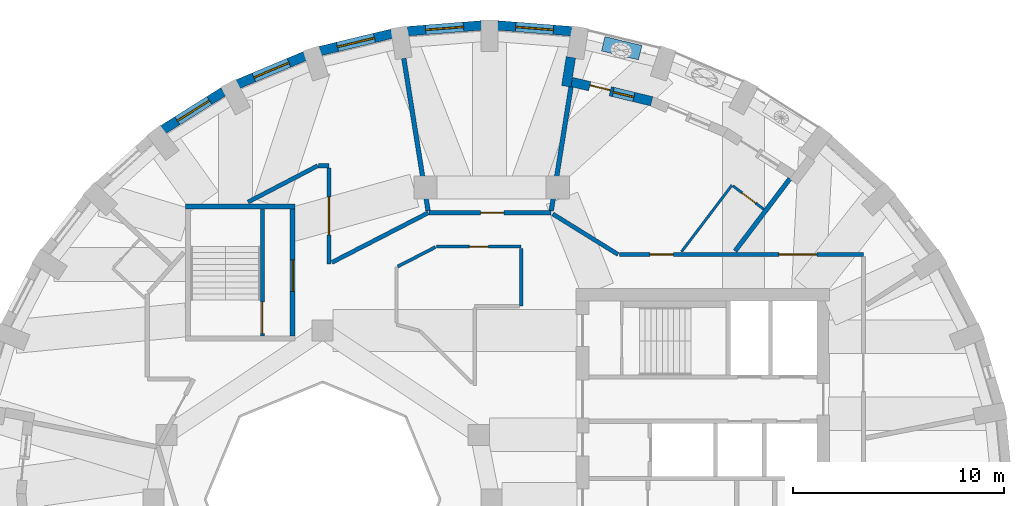
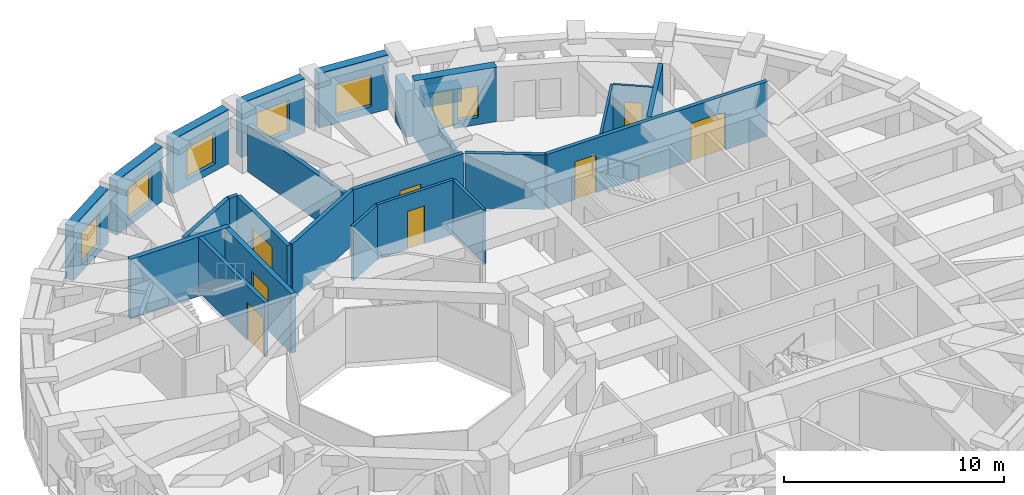
# One storey, part 7 of 12: 26 walls, 9 doors, 6 windows, 15 openings.
"""IFC4 building model written with IfcOpenShell, lengths in metres."""

from ifc_helpers import new_model, si_unit, direction, frame, frame_2d, origin, place, context, subcontext, project, spatial, rectangle, extrude, material, layer, layer_set, constituent, constituent_set, type_object, element, fill, save


model = new_model("IFC4")

# Units and contexts
model_context = context("Model", 3, precision=1e-05, world=origin(), true_north=direction((0.0, 1.0)))
body_context = subcontext(model_context, "Body", "Model", "MODEL_VIEW")
ifc_project = project(units=[si_unit("LENGTHUNIT", "METRE"), si_unit("AREAUNIT", "SQUARE_METRE"), si_unit("VOLUMEUNIT", "CUBIC_METRE"), si_unit("PLANEANGLEUNIT", "RADIAN"), si_unit("MASSUNIT", "GRAM", prefix="KILO")], contexts=[model_context])

# Site, building, storey
site_placement = place(None, origin())
site = spatial("IfcSite", under=ifc_project, at=site_placement, CompositionType="ELEMENT")
building_placement = place(site_placement, origin())
building = spatial("IfcBuilding", under=site, at=building_placement, Name="Taillehof Tower", CompositionType="ELEMENT")
storey_placement = place(building_placement, frame((0.0, 0.0, 233.300048828125)))
storey = spatial("IfcBuildingStorey", under=building, at=storey_placement, Name="L66", CompositionType="ELEMENT", Elevation=233.300048828125)

# Wall, opening, window
ifc_material_1 = material(Name="Brick masonry", Category="masonry")
ifc_layer_1 = layer(ifc_material_1, 0.449951171875)
ifc_layer_set_1 = layer_set([ifc_layer_1], Name="Brick infill wall 450")
wall_type_1 = type_object("IfcWallType", Name="Brick infill wall 450", PredefinedType="SOLIDWALL", material=ifc_layer_set_1)
wall_1_placement = place(storey_placement, frame((3.778564453125, 22.168701171875, 0.0), z_axis=(0.0, 0.0, 1.0), x_axis=(-0.996910775835, 0.078542377245, 0.0)))
wall_1 = element("IfcWall", 1, at=wall_1_placement, inside=storey, type_object=wall_type_1, Name="Brick wall L66 bay 9", PredefinedType="SOLIDWALL", context=body_context, shape_type="SweptSolid", body=[
    extrude(rectangle(XDim=3.50927734375, YDim=0.449951171875, at=frame_2d((1.754638671875, 0.0))), origin(), (0.0, 0.0, 1.0), 3.02001953125),
])
opening_1_placement = place(wall_1_placement, frame((0.854736328125, 0.0, 0.39990234375)))
opening_1 = element("IfcOpeningElement", 2, at=opening_1_placement, cuts=wall_1, Name="Opening W4", PredefinedType="OPENING", context=body_context, shape_type="SweptSolid", body=[
    extrude(rectangle(XDim=1.800048828125, YDim=1.75, at=frame_2d((0.89990234375, 0.875))), frame((0.0, 0.23486328125, 0.0), z_axis=(0.0, -1.0, 0.0), x_axis=(1.0, 0.0, 0.0)), (0.0, 0.0, 1.0), 0.469970703125),
])
ifc_material_2 = material(Name="Aluminium window frame with clear double glazing", Category="aluminium")
window_type_1 = type_object("IfcWindowType", Name="Deep-set window 1800x1750", PartitioningType="SINGLE_PANEL", PredefinedType="WINDOW", material=ifc_material_2)
window_1_placement = place(opening_1_placement, origin())
window_1 = element("IfcWindow", 3, at=window_1_placement, inside=storey, type_object=window_type_1, Name="W4", OverallHeight=1.75, OverallWidth=1.800048828125, PartitioningType="SINGLE_PANEL", PredefinedType="WINDOW", context=body_context, shape_type="SweptSolid", body=[
    extrude(rectangle(XDim=1.800048828125, YDim=1.75, at=frame_2d((0.89990234375, 0.875))), frame((0.0, 0.034912109375, 0.0), z_axis=(0.0, -1.0, 0.0), x_axis=(1.0, 0.0, 0.0)), (0.0, 0.0, 1.0), 0.06005859375),
])
fill(opening_1, window_1)

wall_2_placement = place(storey_placement, frame((-0.47998046875, 22.4443359375, 0.0), z_axis=(0.0, 0.0, 1.0), x_axis=(-0.996910775835, -0.078542377245, 0.0)))
wall_2 = element("IfcWall", 4, at=wall_2_placement, inside=storey, type_object=wall_type_1, Name="Brick wall L66 bay 10", PredefinedType="SOLIDWALL", context=body_context, shape_type="SweptSolid", body=[
    extrude(rectangle(XDim=3.50927734375, YDim=0.449951171875, at=frame_2d((1.754638671875, 0.0))), origin(), (0.0, 0.0, 1.0), 3.02001953125),
])
opening_2_placement = place(wall_2_placement, frame((0.854736328125, 0.0, 0.39990234375)))
opening_2 = element("IfcOpeningElement", 5, at=opening_2_placement, cuts=wall_2, Name="Opening W4", PredefinedType="OPENING", context=body_context, shape_type="SweptSolid", body=[
    extrude(rectangle(XDim=1.800048828125, YDim=1.75, at=frame_2d((0.89990234375, 0.875))), frame((0.0, 0.23486328125, 0.0), z_axis=(0.0, -1.0, 0.0), x_axis=(1.0, 0.0, 0.0)), (0.0, 0.0, 1.0), 0.469970703125),
])
window_2_placement = place(opening_2_placement, origin())
window_2 = element("IfcWindow", 6, at=window_2_placement, inside=storey, type_object=window_type_1, Name="W4", OverallHeight=1.75, OverallWidth=1.800048828125, PartitioningType="SINGLE_PANEL", PredefinedType="WINDOW", context=body_context, shape_type="SweptSolid", body=[
    extrude(rectangle(XDim=1.800048828125, YDim=1.75, at=frame_2d((0.89990234375, 0.875))), frame((0.0, 0.034912109375, 0.0), z_axis=(0.0, -1.0, 0.0), x_axis=(1.0, 0.0, 0.0)), (0.0, 0.0, 1.0), 0.06005859375),
])
fill(opening_2, window_2)

wall_3_placement = place(storey_placement, frame((-4.729248046875, 22.049560546875, 0.0), z_axis=(0.0, 0.0, 1.0), x_axis=(-0.972099278496, -0.23456980357, 0.0)))
wall_3 = element("IfcWall", 7, at=wall_3_placement, inside=storey, type_object=wall_type_1, Name="Brick wall L66 bay 11", PredefinedType="SOLIDWALL", context=body_context, shape_type="SweptSolid", body=[
    extrude(rectangle(XDim=3.486572265625, YDim=0.449951171875, at=frame_2d((1.7431640625, 0.0))), origin(), (0.0, 0.0, 1.0), 3.02001953125),
])
opening_3_placement = place(wall_3_placement, frame((0.84326171875, 0.0, 0.39990234375)))
opening_3 = element("IfcOpeningElement", 8, at=opening_3_placement, cuts=wall_3, Name="Opening W4", PredefinedType="OPENING", context=body_context, shape_type="SweptSolid", body=[
    extrude(rectangle(XDim=1.800048828125, YDim=1.75, at=frame_2d((0.89990234375, 0.875))), frame((0.0, 0.23486328125, 0.0), z_axis=(0.0, -1.0, 0.0), x_axis=(1.0, 0.0, 0.0)), (0.0, 0.0, 1.0), 0.469970703125),
])
window_3_placement = place(opening_3_placement, origin())
window_3 = element("IfcWindow", 9, at=window_3_placement, inside=storey, type_object=window_type_1, Name="W4", OverallHeight=1.75, OverallWidth=1.800048828125, PartitioningType="SINGLE_PANEL", PredefinedType="WINDOW", context=body_context, shape_type="SweptSolid", body=[
    extrude(rectangle(XDim=1.800048828125, YDim=1.75, at=frame_2d((0.89990234375, 0.875))), frame((0.0, 0.034912109375, 0.0), z_axis=(0.0, -1.0, 0.0), x_axis=(1.0, 0.0, 0.0)), (0.0, 0.0, 1.0), 0.06005859375),
])
fill(opening_3, window_3)

wall_4_placement = place(storey_placement, frame((-8.8408203125, 20.994873046875, 0.0), z_axis=(0.0, 0.0, 1.0), x_axis=(-0.922024627475, -0.387131226239, 0.0)))
wall_4 = element("IfcWall", 10, at=wall_4_placement, inside=storey, type_object=wall_type_1, Name="Brick wall L66 bay 12", PredefinedType="SOLIDWALL", context=body_context, shape_type="SweptSolid", body=[
    extrude(rectangle(XDim=3.443359375, YDim=0.449951171875, at=frame_2d((1.7216796875, 0.0))), origin(), (0.0, 0.0, 1.0), 3.02001953125),
])
opening_4_placement = place(wall_4_placement, frame((0.82177734375, 0.0, 0.39990234375)))
opening_4 = element("IfcOpeningElement", 11, at=opening_4_placement, cuts=wall_4, Name="Opening W4", PredefinedType="OPENING", context=body_context, shape_type="SweptSolid", body=[
    extrude(rectangle(XDim=1.800048828125, YDim=1.75, at=frame_2d((0.89990234375, 0.875))), frame((0.0, 0.23486328125, 0.0), z_axis=(0.0, -1.0, 0.0), x_axis=(1.0, 0.0, 0.0)), (0.0, 0.0, 1.0), 0.469970703125),
])
window_4_placement = place(opening_4_placement, origin())
window_4 = element("IfcWindow", 12, at=window_4_placement, inside=storey, type_object=window_type_1, Name="W4", OverallHeight=1.75, OverallWidth=1.800048828125, PartitioningType="SINGLE_PANEL", PredefinedType="WINDOW", context=body_context, shape_type="SweptSolid", body=[
    extrude(rectangle(XDim=1.800048828125, YDim=1.75, at=frame_2d((0.89990234375, 0.875))), frame((0.0, 0.034912109375, 0.0), z_axis=(0.0, -1.0, 0.0), x_axis=(1.0, 0.0, 0.0)), (0.0, 0.0, 1.0), 0.06005859375),
])
fill(opening_4, window_4)

wall_5_placement = place(storey_placement, frame((-12.68994140625, 19.31103515625, 0.0), z_axis=(0.0, 0.0, 1.0), x_axis=(-0.845929139811, -0.53329531258, 0.0)))
wall_5 = element("IfcWall", 13, at=wall_5_placement, inside=storey, type_object=wall_type_1, Name="Brick wall L66 bay 13", PredefinedType="SOLIDWALL", context=body_context, shape_type="SweptSolid", body=[
    extrude(rectangle(XDim=3.384521484375, YDim=0.449951171875, at=frame_2d((1.6923828125, 0.0))), origin(), (0.0, 0.0, 1.0), 3.02001953125),
])
opening_5_placement = place(wall_5_placement, frame((0.792236328125, 0.0, 0.39990234375)))
opening_5 = element("IfcOpeningElement", 14, at=opening_5_placement, cuts=wall_5, Name="Opening W4", PredefinedType="OPENING", context=body_context, shape_type="SweptSolid", body=[
    extrude(rectangle(XDim=1.800048828125, YDim=1.75, at=frame_2d((0.89990234375, 0.875))), frame((0.0, 0.23486328125, 0.0), z_axis=(0.0, -1.0, 0.0), x_axis=(1.0, 0.0, 0.0)), (0.0, 0.0, 1.0), 0.469970703125),
])
window_5_placement = place(opening_5_placement, origin())
window_5 = element("IfcWindow", 15, at=window_5_placement, inside=storey, type_object=window_type_1, Name="W4", OverallHeight=1.75, OverallWidth=1.800048828125, PartitioningType="SINGLE_PANEL", PredefinedType="WINDOW", context=body_context, shape_type="SweptSolid", body=[
    extrude(rectangle(XDim=1.800048828125, YDim=1.75, at=frame_2d((0.89990234375, 0.875))), frame((0.0, 0.034912109375, 0.0), z_axis=(0.0, -1.0, 0.0), x_axis=(1.0, 0.0, 0.0)), (0.0, 0.0, 1.0), 0.06005859375),
])
fill(opening_5, window_5)

# Wall
wall_6_placement = place(storey_placement, frame((3.75146484375, 20.93359375, 0.0), z_axis=(0.0, 0.0, 1.0), x_axis=(-0.157189016474, -0.9875685359, 0.0)))
element("IfcWall", 16, at=wall_6_placement, inside=storey, type_object=wall_type_1, Name="Brick reveal L66 pocket 1", PredefinedType="SOLIDWALL", context=body_context, shape_type="SweptSolid", body=[
    extrude(rectangle(XDim=1.39013671875, YDim=0.449951171875, at=frame_2d((0.695068359375, 0.0))), origin(), (0.0, 0.0, 1.0), 2.570068359375),
])

# Wall, openings, door, window
wall_7_placement = place(storey_placement, frame((7.57958984375, 18.8505859375, 0.0), z_axis=(0.0, 0.0, 1.0), x_axis=(-0.97195784986, 0.235155136231, 0.0)))
wall_7 = element("IfcWall", 17, at=wall_7_placement, inside=storey, type_object=wall_type_1, Name="Brick wall L66 pocket bay 8", PredefinedType="SOLIDWALL", context=body_context, shape_type="SweptSolid", body=[
    extrude(rectangle(XDim=3.895263671875, YDim=0.449951171875, at=frame_2d((1.94775390625, 0.0))), origin(), (0.0, 0.0, 1.0), 3.02001953125),
])
opening_6_placement = place(wall_7_placement, frame((0.872802734375, 0.0, 0.39990234375)))
opening_6 = element("IfcOpeningElement", 18, at=opening_6_placement, cuts=wall_7, Name="Opening W5", PredefinedType="OPENING", context=body_context, shape_type="SweptSolid", body=[
    extrude(rectangle(XDim=1.0, YDim=1.75, at=frame_2d((0.5, 0.875))), frame((0.0, 0.23486328125, 0.0), z_axis=(0.0, -1.0, 0.0), x_axis=(1.0, 0.0, 0.0)), (0.0, 0.0, 1.0), 0.469970703125),
])
opening_7_placement = place(wall_7_placement, frame((2.022705078125, 0.0, 0.0)))
opening_7 = element("IfcOpeningElement", 19, at=opening_7_placement, cuts=wall_7, Name="Opening D6696", PredefinedType="OPENING", context=body_context, shape_type="SweptSolid", body=[
    extrude(rectangle(XDim=1.0, YDim=2.14990234375, at=frame_2d((0.5, 1.074951171875))), frame((0.0, 0.23486328125, 0.0), z_axis=(0.0, -1.0, 0.0), x_axis=(1.0, 0.0, 0.0)), (0.0, 0.0, 1.0), 0.469970703125),
])
ifc_material_3 = material(Name="Aluminium door frame with clear double glazing", Category="aluminium")
door_type_1 = type_object("IfcDoorType", Name="Balcony door 1000x2150", OperationType="SINGLE_SWING_RIGHT", PredefinedType="DOOR", material=ifc_material_3)
door_1_placement = place(opening_7_placement, frame((1.0, 0.0, 0.0), z_axis=(0.0, 0.0, 1.0), x_axis=(-1.0, 0.0, 0.0)))
door_1 = element("IfcDoor", 20, at=door_1_placement, inside=storey, type_object=door_type_1, Name="Balcony door L66 bay 8", OperationType="SINGLE_SWING_LEFT", OverallHeight=2.14990234375, OverallWidth=1.0, PredefinedType="DOOR", context=body_context, shape_type="SweptSolid", body=[
    extrude(rectangle(XDim=1.0, YDim=2.14990234375, at=frame_2d((0.5, 1.074951171875))), frame((0.0, 0.0751953125, 0.0), z_axis=(0.0, -1.0, 0.0), x_axis=(1.0, 0.0, 0.0)), (0.0, 0.0, 1.0), 0.050048828125),
])
fill(opening_7, door_1)
ifc_material_4 = material(Name="Aluminium window frame with clear double glazing", Category="aluminium")
window_type_2 = type_object("IfcWindowType", Name="Fixed window 1000x1750", PartitioningType="SINGLE_PANEL", PredefinedType="WINDOW", material=ifc_material_4)
window_6_placement = place(opening_6_placement, origin())
window_6 = element("IfcWindow", 21, at=window_6_placement, inside=storey, type_object=window_type_2, Name="W5", OverallHeight=1.75, OverallWidth=1.0, PartitioningType="SINGLE_PANEL", PredefinedType="WINDOW", context=body_context, shape_type="SweptSolid", body=[
    extrude(rectangle(XDim=1.0, YDim=1.75, at=frame_2d((0.5, 0.875))), frame((0.0, 0.034912109375, 0.0), z_axis=(0.0, -1.0, 0.0), x_axis=(1.0, 0.0, 0.0)), (0.0, 0.0, 1.0), 0.06005859375),
])
fill(opening_6, window_6)

# Walls
ifc_material_5 = material(Name="Gypsum board on steel studs, two layers each side", Category="steel")
ifc_layer_2 = layer(ifc_material_5, 0.199951171875)
ifc_layer_set_2 = layer_set([ifc_layer_2], Name="Compartment wall corridor 200")
wall_type_2 = type_object("IfcWallType", Name="Compartment wall corridor 200", PredefinedType="PARTITIONING", material=ifc_layer_set_2)
wall_8_placement = place(storey_placement, frame((-11.53369140625, 14.080810546875, 0.0), z_axis=(0.0, 0.0, 1.0), x_axis=(0.886975089277, 0.461817270143, 0.0)))
element("IfcWall", 22, at=wall_8_placement, inside=storey, type_object=wall_type_2, Name="Compartment wall", PredefinedType="PARTITIONING", context=body_context, shape_type="SweptSolid", body=[
    extrude(rectangle(XDim=3.72265625, YDim=0.199951171875, at=frame_2d((1.861328125, 0.0))), origin(), (0.0, 0.0, 1.0), 3.02001953125),
])
wall_9_placement = place(storey_placement, frame((-8.191650390625, 15.800048828125, 0.0), z_axis=(0.0, 0.0, 1.0), x_axis=(1.0, 0.0, 0.0)))
element("IfcWall", 23, at=wall_9_placement, inside=storey, type_object=wall_type_2, Name="Compartment wall", PredefinedType="PARTITIONING", context=body_context, shape_type="SweptSolid", body=[
    extrude(rectangle(XDim=0.49169921875, YDim=0.199951171875, at=frame_2d((0.245849609375, 0.0))), origin(), (0.0, 0.0, 1.0), 3.02001953125),
])

# Wall, opening, door
wall_10_placement = place(storey_placement, frame((-7.699951171875, 15.699951171875, 0.0), z_axis=(0.0, 0.0, 1.0), x_axis=(0.0, -1.0, 0.0)))
wall_10 = element("IfcWall", 24, at=wall_10_placement, inside=storey, type_object=wall_type_2, Name="Compartment wall", PredefinedType="PARTITIONING", context=body_context, shape_type="SweptSolid", body=[
    extrude(rectangle(XDim=4.546875, YDim=0.199951171875, at=frame_2d((2.2734375, 0.0))), origin(), (0.0, 0.0, 1.0), 3.02001953125),
])
opening_8_placement = place(wall_10_placement, frame((1.37353515625, 0.0, 0.0)))
opening_8 = element("IfcOpeningElement", 25, at=opening_8_placement, cuts=wall_10, Name="Opening D6643", PredefinedType="OPENING", context=body_context, shape_type="SweptSolid", body=[
    extrude(rectangle(XDim=1.800048828125, YDim=2.10009765625, at=frame_2d((0.89990234375, 1.050048828125))), frame((0.0, 0.10986328125, 0.0), z_axis=(0.0, -1.0, 0.0), x_axis=(1.0, 0.0, 0.0)), (0.0, 0.0, 1.0), 0.219970703125),
])
ifc_material_6 = material(Name="Timber door leaf in steel frame", Category="steel")
door_type_2 = type_object("IfcDoorType", Name="Lounge and meeting room double door EI 30 1800 x 2100", OperationType="SINGLE_SWING_LEFT", PredefinedType="DOOR", material=ifc_material_6)
door_2_placement = place(opening_8_placement, origin())
door_2 = element("IfcDoor", 26, at=door_2_placement, inside=storey, type_object=door_type_2, Name="D6643", OperationType="DOUBLE_DOOR_SINGLE_SWING", OverallHeight=2.10009765625, OverallWidth=1.800048828125, PredefinedType="DOOR", context=body_context, shape_type="SweptSolid", body=[
    extrude(rectangle(XDim=1.800048828125, YDim=2.10009765625, at=frame_2d((0.89990234375, 1.050048828125))), frame((0.0, 0.02490234375, 0.0), z_axis=(0.0, -1.0, 0.0), x_axis=(1.0, 0.0, 0.0)), (0.0, 0.0, 1.0), 0.050048828125),
])
fill(opening_8, door_2)

# Wall
wall_11_placement = place(storey_placement, frame((-7.557373046875, 11.227294921875, 0.0), z_axis=(0.0, 0.0, 1.0), x_axis=(0.889060449642, 0.457789817364, 0.0)))
element("IfcWall", 27, at=wall_11_placement, inside=storey, type_object=wall_type_2, Name="Compartment wall", PredefinedType="PARTITIONING", context=body_context, shape_type="SweptSolid", body=[
    extrude(rectangle(XDim=5.11865234375, YDim=0.199951171875, at=frame_2d((2.559326171875, 0.0))), origin(), (0.0, 0.0, 1.0), 3.02001953125),
])

# Wall, opening, door
wall_12_placement = place(storey_placement, frame((-2.966552734375, 13.570556640625, 0.0), z_axis=(0.0, 0.0, 1.0), x_axis=(1.0, 0.0, 0.0)))
wall_12 = element("IfcWall", 28, at=wall_12_placement, inside=storey, type_object=wall_type_2, Name="Compartment wall", PredefinedType="PARTITIONING", context=body_context, shape_type="SweptSolid", body=[
    extrude(rectangle(XDim=5.773193359375, YDim=0.199951171875, at=frame_2d((2.88671875, 0.0))), origin(), (0.0, 0.0, 1.0), 3.02001953125),
])
opening_9_placement = place(wall_12_placement, frame((2.441162109375, 0.0, 0.0)))
opening_9 = element("IfcOpeningElement", 29, at=opening_9_placement, cuts=wall_12, Name="Opening D6642", PredefinedType="OPENING", context=body_context, shape_type="SweptSolid", body=[
    extrude(rectangle(XDim=1.10009765625, YDim=2.10009765625, at=frame_2d((0.550048828125, 1.050048828125))), frame((0.0, 0.10986328125, 0.0), z_axis=(0.0, -1.0, 0.0), x_axis=(1.0, 0.0, 0.0)), (0.0, 0.0, 1.0), 0.219970703125),
])
ifc_material_7 = material(Name="Timber door leaf in steel frame", Category="steel")
door_type_3 = type_object("IfcDoorType", Name="Suite entrance door EI 30 1100 x 2100", OperationType="SINGLE_SWING_LEFT", PredefinedType="DOOR", material=ifc_material_7)
door_3_placement = place(opening_9_placement, origin())
door_3 = element("IfcDoor", 30, at=door_3_placement, inside=storey, type_object=door_type_3, Name="D6642", OperationType="SINGLE_SWING_RIGHT", OverallHeight=2.10009765625, OverallWidth=1.10009765625, PredefinedType="DOOR", context=body_context, shape_type="SweptSolid", body=[
    extrude(rectangle(XDim=1.10009765625, YDim=2.10009765625, at=frame_2d((0.550048828125, 1.050048828125))), frame((0.0, 0.02490234375, 0.0), z_axis=(0.0, -1.0, 0.0), x_axis=(1.0, 0.0, 0.0)), (0.0, 0.0, 1.0), 0.050048828125),
])
fill(opening_9, door_3)

# Wall
wall_13_placement = place(storey_placement, frame((2.89208984375, 13.51806640625, 0.0), z_axis=(0.0, 0.0, 1.0), x_axis=(0.849866037624, -0.526998783769, 0.0)))
element("IfcWall", 31, at=wall_13_placement, inside=storey, type_object=wall_type_2, Name="Compartment wall", PredefinedType="PARTITIONING", context=body_context, shape_type="SweptSolid", body=[
    extrude(rectangle(XDim=3.639404296875, YDim=0.199951171875, at=frame_2d((1.81982421875, 0.0))), origin(), (0.0, 0.0, 1.0), 3.02001953125),
])

# Wall, openings, doors
wall_14_placement = place(storey_placement, frame((6.045166015625, 11.60009765625, 0.0), z_axis=(0.0, 0.0, 1.0), x_axis=(1.0, 0.0, 0.0)))
wall_14 = element("IfcWall", 32, at=wall_14_placement, inside=storey, type_object=wall_type_2, Name="Compartment wall", PredefinedType="PARTITIONING", context=body_context, shape_type="SweptSolid", body=[
    extrude(rectangle(XDim=11.554931640625, YDim=0.199951171875, at=frame_2d((5.77734375, 0.0))), origin(), (0.0, 0.0, 1.0), 3.02001953125),
])
opening_10_placement = place(wall_14_placement, frame((1.4609375, 0.0, 0.0)))
opening_10 = element("IfcOpeningElement", 33, at=opening_10_placement, cuts=wall_14, Name="Opening D6640", PredefinedType="OPENING", context=body_context, shape_type="SweptSolid", body=[
    extrude(rectangle(XDim=1.10009765625, YDim=2.10009765625, at=frame_2d((0.550048828125, 1.050048828125))), frame((0.0, 0.10986328125, 0.0), z_axis=(0.0, -1.0, 0.0), x_axis=(1.0, 0.0, 0.0)), (0.0, 0.0, 1.0), 0.219970703125),
])
opening_11_placement = place(wall_14_placement, frame((7.548828125, 0.0, 0.0)))
opening_11 = element("IfcOpeningElement", 34, at=opening_11_placement, cuts=wall_14, Name="Opening D6657", PredefinedType="OPENING", context=body_context, shape_type="SweptSolid", body=[
    extrude(rectangle(XDim=1.800048828125, YDim=2.10009765625, at=frame_2d((0.89990234375, 1.050048828125))), frame((0.0, 0.10986328125, 0.0), z_axis=(0.0, -1.0, 0.0), x_axis=(1.0, 0.0, 0.0)), (0.0, 0.0, 1.0), 0.219970703125),
])
door_4_placement = place(opening_11_placement, origin())
door_4 = element("IfcDoor", 35, at=door_4_placement, inside=storey, type_object=door_type_2, Name="D6657", OperationType="DOUBLE_DOOR_SINGLE_SWING", OverallHeight=2.10009765625, OverallWidth=1.800048828125, PredefinedType="DOOR", context=body_context, shape_type="SweptSolid", body=[
    extrude(rectangle(XDim=1.800048828125, YDim=2.10009765625, at=frame_2d((0.89990234375, 1.050048828125))), frame((0.0, 0.02490234375, 0.0), z_axis=(0.0, -1.0, 0.0), x_axis=(1.0, 0.0, 0.0)), (0.0, 0.0, 1.0), 0.050048828125),
])
fill(opening_11, door_4)
door_5_placement = place(opening_10_placement, origin())
door_5 = element("IfcDoor", 36, at=door_5_placement, inside=storey, type_object=door_type_3, Name="D6640", OperationType="SINGLE_SWING_RIGHT", OverallHeight=2.10009765625, OverallWidth=1.10009765625, PredefinedType="DOOR", context=body_context, shape_type="SweptSolid", body=[
    extrude(rectangle(XDim=1.10009765625, YDim=2.10009765625, at=frame_2d((0.550048828125, 1.050048828125))), frame((0.0, 0.02490234375, 0.0), z_axis=(0.0, -1.0, 0.0), x_axis=(1.0, 0.0, 0.0)), (0.0, 0.0, 1.0), 0.050048828125),
])
fill(opening_10, door_5)

# Walls
ifc_material_8 = material(Name="Gypsum board on double steel studs with mineral wool", Category="steel")
ifc_layer_3 = layer(ifc_material_8, 0.219970703125)
ifc_layer_set_3 = layer_set([ifc_layer_3], Name="Compartment wall guest room 220")
wall_type_3 = type_object("IfcWallType", Name="Compartment wall guest room 220", PredefinedType="PARTITIONING", material=ifc_layer_set_3)
wall_15_placement = place(storey_placement, frame((14.11865234375, 15.186767578125, 0.0), z_axis=(0.0, 0.0, 1.0), x_axis=(-0.604075434344, -0.796927141978, 0.0)))
element("IfcWall", 37, at=wall_15_placement, inside=storey, type_object=wall_type_3, Name="Compartment wall", PredefinedType="PARTITIONING", context=body_context, shape_type="SweptSolid", body=[
    extrude(rectangle(XDim=4.29541015625, YDim=0.219970703125, at=frame_2d((2.147705078125, 0.0))), origin(), (0.0, 0.0, 1.0), 3.02001953125),
])
wall_16_placement = place(storey_placement, frame((3.758056640625, 19.543701171875, 0.0), z_axis=(0.0, 0.0, 1.0), x_axis=(-0.157279717869, -0.987554094897, 0.0)))
element("IfcWall", 38, at=wall_16_placement, inside=storey, type_object=wall_type_3, Name="Compartment wall", PredefinedType="PARTITIONING", context=body_context, shape_type="SweptSolid", body=[
    extrude(rectangle(XDim=5.9482421875, YDim=0.219970703125, at=frame_2d((2.97412109375, 0.0))), origin(), (0.0, 0.0, 1.0), 2.570068359375),
])
wall_17_placement = place(storey_placement, frame((-4.158203125, 20.88037109375, 0.0), z_axis=(0.0, 0.0, 1.0), x_axis=(0.157260291638, -0.987557188559, 0.0)))
element("IfcWall", 39, at=wall_17_placement, inside=storey, type_object=wall_type_3, Name="Compartment wall", PredefinedType="PARTITIONING", context=body_context, shape_type="SweptSolid", body=[
    extrude(rectangle(XDim=7.302734375, YDim=0.219970703125, at=frame_2d((3.6513671875, 0.0))), origin(), (0.0, 0.0, 1.0), 2.570068359375),
])

# Wall, opening, door
ifc_material_9 = material(Name="Gypsum board on steel studs, two layers each side", Category="steel")
ifc_layer_4 = layer(ifc_material_9, 0.14990234375)
ifc_layer_set_4 = layer_set([ifc_layer_4], Name="Compartment wall service room 150")
wall_type_4 = type_object("IfcWallType", Name="Compartment wall service room 150", PredefinedType="PARTITIONING", material=ifc_layer_set_4)
wall_18_placement = place(storey_placement, frame((-2.618896484375, 11.970458984375, 0.0), z_axis=(0.0, 0.0, 1.0), x_axis=(1.0, 0.0, 0.0)))
wall_18 = element("IfcWall", 40, at=wall_18_placement, inside=storey, type_object=wall_type_4, Name="Compartment wall", PredefinedType="PARTITIONING", context=body_context, shape_type="SweptSolid", body=[
    extrude(rectangle(XDim=4.018798828125, YDim=0.14990234375, at=frame_2d((2.00927734375, 0.0))), origin(), (0.0, 0.0, 1.0), 3.02001953125),
])
opening_12_placement = place(wall_18_placement, frame((1.559326171875, 0.0, 0.0)))
opening_12 = element("IfcOpeningElement", 41, at=opening_12_placement, cuts=wall_18, Name="Opening D6658", PredefinedType="OPENING", context=body_context, shape_type="SweptSolid", body=[
    extrude(rectangle(XDim=0.89990234375, YDim=2.10009765625, at=frame_2d((0.449951171875, 1.050048828125))), frame((0.0, 0.0849609375, 0.0), z_axis=(0.0, -1.0, 0.0), x_axis=(1.0, 0.0, 0.0)), (0.0, 0.0, 1.0), 0.169921875),
])
ifc_material_10 = material(Name="Timber door leaf in steel frame", Category="steel")
door_type_4 = type_object("IfcDoorType", Name="Service room door EI 30 900 x 2100", OperationType="SINGLE_SWING_LEFT", PredefinedType="DOOR", material=ifc_material_10)
door_6_placement = place(opening_12_placement, origin())
door_6 = element("IfcDoor", 42, at=door_6_placement, inside=storey, type_object=door_type_4, Name="D6658", OperationType="SINGLE_SWING_RIGHT", OverallHeight=2.10009765625, OverallWidth=0.89990234375, PredefinedType="DOOR", context=body_context, shape_type="SweptSolid", body=[
    extrude(rectangle(XDim=0.89990234375, YDim=2.10009765625, at=frame_2d((0.449951171875, 1.050048828125))), frame((0.0, 0.02490234375, 0.0), z_axis=(0.0, -1.0, 0.0), x_axis=(1.0, 0.0, 0.0)), (0.0, 0.0, 1.0), 0.050048828125),
])
fill(opening_12, door_6)

# Walls
wall_19_placement = place(storey_placement, frame((1.39990234375, 11.890380859375, 0.0), z_axis=(0.0, 0.0, 1.0), x_axis=(0.0, -1.0, 0.0)))
element("IfcWall", 43, at=wall_19_placement, inside=storey, type_object=wall_type_4, Name="Compartment wall", PredefinedType="PARTITIONING", context=body_context, shape_type="SweptSolid", body=[
    extrude(rectangle(XDim=2.740478515625, YDim=0.14990234375, at=frame_2d((1.3701171875, 0.0))), origin(), (0.0, 0.0, 1.0), 3.02001953125),
])
wall_20_placement = place(storey_placement, frame((-4.446533203125, 11.029296875, 0.0), z_axis=(0.0, 0.0, 1.0), x_axis=(0.88908361723, 0.457744821459, 0.0)))
element("IfcWall", 44, at=wall_20_placement, inside=storey, type_object=wall_type_4, Name="Compartment wall", PredefinedType="PARTITIONING", context=body_context, shape_type="SweptSolid", body=[
    extrude(rectangle(XDim=2.015625, YDim=0.14990234375, at=frame_2d((1.0078125, 0.0))), origin(), (0.0, 0.0, 1.0), 3.02001953125),
])
ifc_material_11 = material(Name="Gypsum board on steel studs, moisture resistant", Category="steel")
ifc_layer_5 = layer(ifc_material_11, 0.1201171875)
ifc_layer_set_5 = layer_set([ifc_layer_5], Name="En-suite wall 120")
wall_type_5 = type_object("IfcWallType", Name="En-suite wall 120", PredefinedType="PARTITIONING", material=ifc_layer_set_5)
wall_21_placement = place(storey_placement, frame((8.990478515625, 11.73193359375, 0.0), z_axis=(0.0, 0.0, 1.0), x_axis=(0.604075378366, 0.79692718441, 0.0)))
element("IfcWall", 45, at=wall_21_placement, inside=storey, type_object=wall_type_5, Name="En-suite wall", PredefinedType="PARTITIONING", context=body_context, shape_type="SweptSolid", body=[
    extrude(rectangle(XDim=3.950927734375, YDim=0.1201171875, at=frame_2d((1.9755859375, 0.0))), origin(), (0.0, 0.0, 1.0), 3.02001953125),
])

# Wall, opening, door
wall_22_placement = place(storey_placement, frame((11.425048828125, 14.844482421875, 0.0), z_axis=(0.0, 0.0, 1.0), x_axis=(0.796899454755, -0.604111959004, 0.0)))
wall_22 = element("IfcWall", 46, at=wall_22_placement, inside=storey, type_object=wall_type_5, Name="En-suite wall", PredefinedType="PARTITIONING", context=body_context, shape_type="SweptSolid", body=[
    extrude(rectangle(XDim=1.829833984375, YDim=0.1201171875, at=frame_2d((0.9150390625, 0.0))), origin(), (0.0, 0.0, 1.0), 3.02001953125),
])
opening_13_placement = place(wall_22_placement, frame((0.5400390625, 0.0, 0.0)))
opening_13 = element("IfcOpeningElement", 47, at=opening_13_placement, cuts=wall_22, Name="Opening D6641", PredefinedType="OPENING", context=body_context, shape_type="SweptSolid", body=[
    extrude(rectangle(XDim=0.800048828125, YDim=2.10009765625, at=frame_2d((0.39990234375, 1.050048828125))), frame((0.0, 0.070068359375, 0.0), z_axis=(0.0, -1.0, 0.0), x_axis=(1.0, 0.0, 0.0)), (0.0, 0.0, 1.0), 0.14013671875),
])
ifc_material_12 = material(Name="Timber door leaf in steel frame", Category="steel")
door_type_5 = type_object("IfcDoorType", Name="En-suite door 800 x 2100", OperationType="SINGLE_SWING_LEFT", PredefinedType="DOOR", material=ifc_material_12)
door_7_placement = place(opening_13_placement, origin())
door_7 = element("IfcDoor", 48, at=door_7_placement, inside=storey, type_object=door_type_5, Name="D6641", OperationType="SINGLE_SWING_RIGHT", OverallHeight=2.10009765625, OverallWidth=0.800048828125, PredefinedType="DOOR", context=body_context, shape_type="SweptSolid", body=[
    extrude(rectangle(XDim=0.800048828125, YDim=2.10009765625, at=frame_2d((0.39990234375, 1.050048828125))), frame((0.0, 0.02490234375, 0.0), z_axis=(0.0, -1.0, 0.0), x_axis=(1.0, 0.0, 0.0)), (0.0, 0.0, 1.0), 0.050048828125),
])
fill(opening_13, door_7)

# Wall
ifc_material_13 = material(Name="Concrete C30/37 precast", Category="concrete")
ifc_constituent_1 = constituent(ifc_material_13, Name="Structure", Category="concrete")
ifc_material_14 = material(Name="Insulated lining")
ifc_constituent_2 = constituent(ifc_material_14, Name="Lining")
ifc_constituent_set = constituent_set(constituents=[ifc_constituent_1, ifc_constituent_2], Name="Planter trough 700x750")
wall_type_6 = type_object("IfcWallType", Name="Planter trough 700x750", PredefinedType="USERDEFINED", material=ifc_constituent_set)
wall_23_placement = place(storey_placement, frame((7.0322265625, 21.152587890625, 0.0), z_axis=(0.0, 0.0, 1.0), x_axis=(-0.972112071369, 0.234516781275, 0.0)))
element("IfcWall", 49, at=wall_23_placement, inside=storey, type_object=wall_type_6, Name="Planter L66 bay 8", ObjectType="PLANTER", PredefinedType="USERDEFINED", context=body_context, shape_type="SweptSolid", body=[
    extrude(rectangle(XDim=1.800048828125, YDim=0.699951171875, at=frame_2d((0.89990234375, 0.0))), origin(), (0.0, 0.0, 1.0), 0.75),
])

# Wall, opening, door
ifc_material_15 = material(Name="Concrete C50/60", Category="concrete")
ifc_layer_6 = layer(ifc_material_15, 0.199951171875)
ifc_layer_set_6 = layer_set([ifc_layer_6], Name="Shaft wall C50/60 200")
wall_type_7 = type_object("IfcWallType", Name="Shaft wall C50/60 200", PredefinedType="SHEAR", material=ifc_layer_set_6)
wall_24_placement = place(storey_placement, frame((-10.85009765625, 7.75, 0.0), z_axis=(0.0, 0.0, 1.0), x_axis=(0.0, 1.0, 0.0)))
wall_24 = element("IfcWall", 50, at=wall_24_placement, inside=storey, type_object=wall_type_7, Name="Shaft wall SW", PredefinedType="SHEAR", context=body_context, shape_type="SweptSolid", body=[
    extrude(rectangle(XDim=6.0, YDim=0.199951171875, at=frame_2d((3.0, 0.0))), origin(), (0.0, 0.0, 1.0), 3.02001953125),
])
opening_14_placement = place(wall_24_placement, frame((0.10009765625, 0.0, 0.0)))
opening_14 = element("IfcOpeningElement", 51, at=opening_14_placement, cuts=wall_24, Name="Opening D6612", PredefinedType="OPENING", context=body_context, shape_type="SweptSolid", body=[
    extrude(rectangle(XDim=1.5, YDim=2.10009765625, at=frame_2d((0.75, 1.050048828125))), frame((0.0, 0.10986328125, 0.0), z_axis=(0.0, -1.0, 0.0), x_axis=(1.0, 0.0, 0.0)), (0.0, 0.0, 1.0), 0.219970703125),
])
ifc_material_16 = material(Name="Steel-faced fire door", Category="steel")
door_type_6 = type_object("IfcDoorType", Name="Stair door 1500x2100", OperationType="DOUBLE_DOOR_SINGLE_SWING", PredefinedType="DOOR", material=ifc_material_16)
door_8_placement = place(opening_14_placement, origin())
door_8 = element("IfcDoor", 52, at=door_8_placement, inside=storey, type_object=door_type_6, Name="Stair lobby door S3", OperationType="DOUBLE_DOOR_SINGLE_SWING", OverallHeight=2.10009765625, OverallWidth=1.5, PredefinedType="DOOR", context=body_context, shape_type="SweptSolid", body=[
    extrude(rectangle(XDim=1.5, YDim=2.10009765625, at=frame_2d((0.75, 1.050048828125))), frame((0.0, 0.02490234375, 0.0), z_axis=(0.0, -1.0, 0.0), x_axis=(1.0, 0.0, 0.0)), (0.0, 0.0, 1.0), 0.050048828125),
])
fill(opening_14, door_8)

ifc_material_17 = material(Name="Concrete C50/60", Category="concrete")
ifc_layer_7 = layer(ifc_material_17, 0.25)
ifc_layer_set_7 = layer_set([ifc_layer_7], Name="Stair wall C50/60 250")
wall_type_8 = type_object("IfcWallType", Name="Stair wall C50/60 250", PredefinedType="SHEAR", material=ifc_layer_set_7)
wall_25_placement = place(storey_placement, frame((-9.425048828125, 7.75, -0.280029296875), z_axis=(0.0, 0.0, 1.0), x_axis=(0.0, 1.0, 0.0)))
wall_25 = element("IfcWall", 53, at=wall_25_placement, inside=storey, type_object=wall_type_8, Name="Stair wall SC", PredefinedType="SHEAR", context=body_context, shape_type="SweptSolid", body=[
    extrude(rectangle(XDim=6.0, YDim=0.25, at=frame_2d((3.0, 0.0))), origin(), (0.0, 0.0, 1.0), 3.300048828125),
])
opening_15_placement = place(wall_25_placement, frame((2.10009765625, 0.0, 0.280029296875)))
opening_15 = element("IfcOpeningElement", 54, at=opening_15_placement, cuts=wall_25, Name="Opening D6615", PredefinedType="OPENING", context=body_context, shape_type="SweptSolid", body=[
    extrude(rectangle(XDim=1.5, YDim=2.10009765625, at=frame_2d((0.75, 1.050048828125))), frame((0.0, 0.135009765625, 0.0), z_axis=(0.0, -1.0, 0.0), x_axis=(1.0, 0.0, 0.0)), (0.0, 0.0, 1.0), 0.27001953125),
])
door_9_placement = place(opening_15_placement, origin())
door_9 = element("IfcDoor", 55, at=door_9_placement, inside=storey, type_object=door_type_6, Name="Stair door S3", OperationType="DOUBLE_DOOR_SINGLE_SWING", OverallHeight=2.10009765625, OverallWidth=1.5, PredefinedType="DOOR", context=body_context, shape_type="SweptSolid", body=[
    extrude(rectangle(XDim=1.5, YDim=2.10009765625, at=frame_2d((0.75, 1.050048828125))), frame((0.0, 0.02490234375, 0.0), z_axis=(0.0, -1.0, 0.0), x_axis=(1.0, 0.0, 0.0)), (0.0, 0.0, 1.0), 0.050048828125),
])
fill(opening_15, door_9)

# Wall
wall_26_placement = place(storey_placement, frame((-14.5, 13.875, -0.280029296875), z_axis=(0.0, 0.0, 1.0), x_axis=(1.0, 0.0, 0.0)))
element("IfcWall", 56, at=wall_26_placement, inside=storey, type_object=wall_type_8, Name="Stair wall SC", PredefinedType="SHEAR", context=body_context, shape_type="SweptSolid", body=[
    extrude(rectangle(XDim=5.199951171875, YDim=0.25, at=frame_2d((2.60009765625, 0.0))), origin(), (0.0, 0.0, 1.0), 3.300048828125),
])

save(model, "model.ifc")
